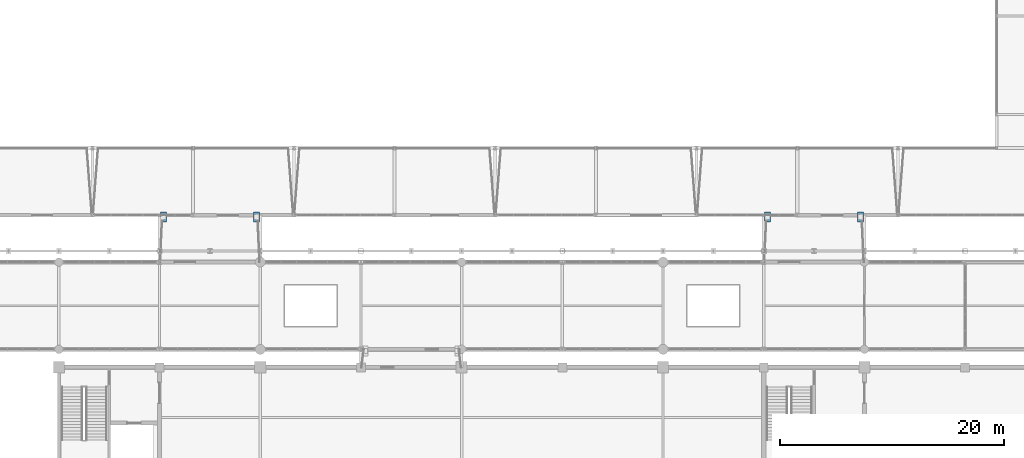
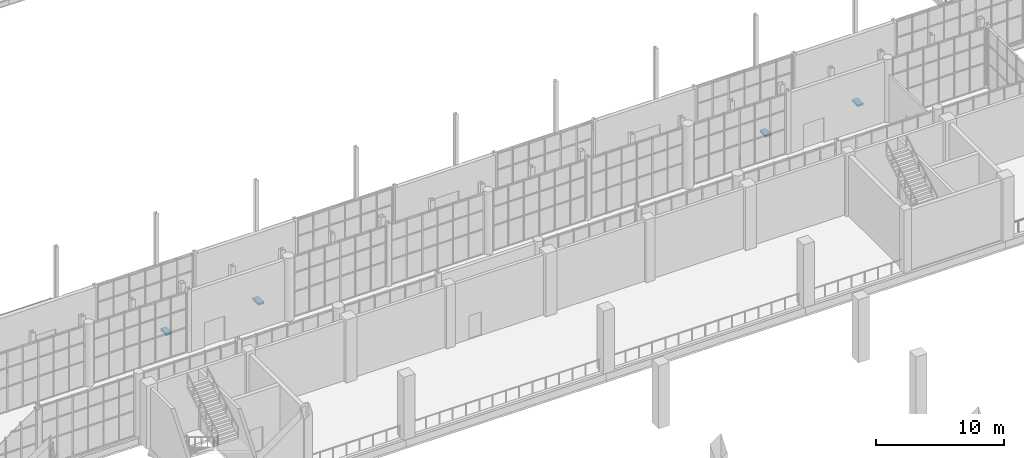
# One storey, part 134 of 159: 4 discrete accessories.
"""IFC4 building model written with IfcOpenShell, lengths in metres."""

import ifcopenshell
import ifcopenshell.guid

model = None  # the IFC model being written
_history = None  # IfcOwnerHistory: only IFC2X3 demands one
_inside = {}  # id of a spatial element -> (the spatial element, [elements in it])
_under = {}  # id of a project, library or spatial element -> (it, [spatial elements below it])
_declared = {}  # id of a project -> (the project, [libraries it declares])
_typed = {}  # id of a type object -> (the type object, [elements of that type])
_made_of = {}  # id of a material, layer set ... -> (it, [elements and type objects made of it])


def new_model(schema):
    """Start an empty IFC model of exactly this schema.

    Asked for "IFC4X3", IfcOpenShell would pick the latest addendum, in which some entities
    have other attributes; the version numbers below select the first issue.
    IFC2X3 requires an IfcOwnerHistory on every rooted entity: one is made here for all.
    """
    global model, _history
    if schema == "IFC4X3":
        model = ifcopenshell.file(schema_version=(4, 3, 0, 0))
    else:
        model = ifcopenshell.file(schema=schema)
    _inside.clear()
    _under.clear()
    _declared.clear()
    _typed.clear()
    _made_of.clear()
    _history = None
    if model.schema == "IFC2X3":
        org = make("IfcOrganization", Name="unknown")
        user = make(
            "IfcPersonAndOrganization",
            ThePerson=make("IfcPerson", FamilyName="unknown"),
            TheOrganization=org,
        )
        app = make(
            "IfcApplication",
            ApplicationDeveloper=org,
            Version="unknown",
            ApplicationFullName="unknown",
            ApplicationIdentifier="unknown",
        )
        _history = make(
            "IfcOwnerHistory",
            OwningUser=user,
            OwningApplication=app,
            ChangeAction="ADDED",
            CreationDate=0,
        )
    return model


def make(cls, **values):
    """One entity of the class cls with the attributes given. An attribute that is None is left unset."""
    return model.create_entity(
        cls, **{name: value for name, value in values.items() if value is not None}
    )


def rooted(cls, **values):
    """An entity with a GlobalId (a new one), such as an element, a storey or a relation."""
    return make(cls, GlobalId=ifcopenshell.guid.new(), OwnerHistory=_history, **values)


def si_unit(unit_type, name, prefix=None):
    """IfcSIUnit, for example si_unit("LENGTHUNIT", "METRE", prefix="MILLI")."""
    return make("IfcSIUnit", UnitType=unit_type, Prefix=prefix, Name=name)


def assignment(units):
    """IfcUnitAssignment: the units of a project."""
    return None if units is None else make("IfcUnitAssignment", Units=units)


def point(xyz):
    """IfcCartesianPoint."""
    return None if xyz is None else make("IfcCartesianPoint", Coordinates=xyz)


def direction(xyz):
    """IfcDirection."""
    return None if xyz is None else make("IfcDirection", DirectionRatios=xyz)


def frame(location, z_axis=None, x_axis=None):
    """IfcAxis2Placement3D, a coordinate frame: its origin and axes. An axis left out is left unset."""
    return make(
        "IfcAxis2Placement3D",
        Location=point(location),
        Axis=direction(z_axis),
        RefDirection=direction(x_axis),
    )


def frame_2d(location, x_axis=None):
    """IfcAxis2Placement2D, a coordinate frame in the plane: its origin and x axis."""
    return make(
        "IfcAxis2Placement2D", Location=point(location), RefDirection=direction(x_axis)
    )


def origin():
    """The frame at (0, 0, 0) with its axes left unset."""
    return frame((0.0, 0.0, 0.0))


def origin_2d():
    """The frame at (0, 0) in the plane with its x axis left unset."""
    return frame_2d((0.0, 0.0))


def place(relative_to, where):
    """IfcLocalPlacement: puts the frame where relative to a parent placement (None: the world)."""
    return make(
        "IfcLocalPlacement", PlacementRelTo=relative_to, RelativePlacement=where
    )


def context(
    kind, dimensions, precision=None, world=None, true_north=None, identifier=None
):
    """IfcGeometricRepresentationContext, for example the 3D "Model" context."""
    return make(
        "IfcGeometricRepresentationContext",
        ContextIdentifier=identifier,
        ContextType=kind,
        CoordinateSpaceDimension=dimensions,
        Precision=precision,
        WorldCoordinateSystem=world,
        TrueNorth=true_north,
    )


def subcontext(parent, identifier, kind, view, scale=None):
    """IfcGeometricRepresentationSubContext, for example "Body" below "Model"."""
    return make(
        "IfcGeometricRepresentationSubContext",
        ContextIdentifier=identifier,
        ContextType=kind,
        ParentContext=parent,
        TargetScale=scale,
        TargetView=view,
    )


def project(units=None, contexts=None):
    """IfcProject with its units and contexts."""
    return rooted(
        "IfcProject",
        Name="project",
        RepresentationContexts=contexts,
        UnitsInContext=assignment(units),
    )


def spatial(cls, under=None, at=None, **own):
    """A site, building, storey or space (cls), placed at a placement, below another one or the project."""
    s = rooted(cls, ObjectPlacement=at, **own)
    if under is not None:
        _under.setdefault(under.id(), (under, []))[1].append(s)
    return s


def profile(cls, at=None, kind="AREA", **sizes):
    """A parametric profile (cls). Its sizes go by their IFC names, for example OverallWidth=200.0."""
    return make(cls, ProfileType=kind, Position=at, **sizes)


def rectangle(**sizes):
    """IfcRectangleProfileDef."""
    return profile("IfcRectangleProfileDef", **sizes)


def extrude(swept, where, along, depth):
    """IfcExtrudedAreaSolid: the profile swept, set in the frame where, extruded along a direction by depth."""
    return make(
        "IfcExtrudedAreaSolid",
        SweptArea=swept,
        Position=where,
        ExtrudedDirection=direction(along),
        Depth=depth,
    )


def shape(context_of_items, identifier, shape_type, items):
    """IfcShapeRepresentation: the items that make up one representation, for example the "Body"."""
    return make(
        "IfcShapeRepresentation",
        ContextOfItems=context_of_items,
        RepresentationIdentifier=identifier,
        RepresentationType=shape_type,
        Items=items,
    )


def material(Name=None, Category=None):
    """IfcMaterial."""
    return make("IfcMaterial", Name=Name, Category=Category)


def made_of(thing, what):
    """Note that an element or type object is made of a material, layer set ...; save() writes the relation."""
    if what is not None:
        _made_of.setdefault(what.id(), (what, []))[1].append(thing)
    return thing


def type_object(cls, material=None, **own):
    """A type object (cls), such as IfcWallType, which elements share."""
    return made_of(rooted(cls, **own), material)


def element(
    cls,
    number,
    at=None,
    inside=None,
    cuts=None,
    type_object=None,
    material=None,
    context=None,
    identifier="Body",
    shape_type=None,
    held_by="IfcProductDefinitionShape",
    body=None,
    shapes=None,
    **own,
):
    """One element of the class cls, such as IfcWall. Its Tag is "e" and its number.

    at: its placement. inside: the storey or other place that contains it. cuts: it is an
    opening in that element (IfcRelVoidsElement). A single representation is given by context,
    identifier, shape_type and body (its items); several are given by shapes. held_by: the class
    of the entity that holds the representations. save() writes the other relations.
    """
    e = rooted(cls, Tag="e%d" % number, ObjectPlacement=at, **own)
    if body is not None:
        shapes = [shape(context, identifier, shape_type, body)]
    if shapes is not None:
        e.Representation = make(held_by, Representations=shapes)
    if inside is not None:
        _inside.setdefault(inside.id(), (inside, []))[1].append(e)
    if cuts is not None:
        rooted(
            "IfcRelVoidsElement", RelatingBuildingElement=cuts, RelatedOpeningElement=e
        )
    if type_object is not None:
        _typed.setdefault(type_object.id(), (type_object, []))[1].append(e)
    return made_of(e, material)


def aggregate(whole, parts):
    """IfcRelAggregates: a whole, such as a stair, and the parts it consists of."""
    return rooted("IfcRelAggregates", RelatingObject=whole, RelatedObjects=parts)


def save(model, path):
    """Write the relations noted so far, then the file.

    IfcRelAggregates (storeys below a building ...), IfcRelContainedInSpatialStructure (elements
    in a storey), IfcRelDefinesByType, IfcRelAssociatesMaterial and IfcRelDeclares: one each for
    every whole, place, type object, material and project.
    """
    for whole, parts in _under.values():
        aggregate(whole, parts)
    for where, things in _inside.values():
        rooted(
            "IfcRelContainedInSpatialStructure",
            RelatedElements=things,
            RelatingStructure=where,
        )
    for kind, things in _typed.values():
        rooted("IfcRelDefinesByType", RelatedObjects=things, RelatingType=kind)
    for what, things in _made_of.values():
        rooted("IfcRelAssociatesMaterial", RelatedObjects=things, RelatingMaterial=what)
    for by, libraries in _declared.values():
        rooted("IfcRelDeclares", RelatingContext=by, RelatedDefinitions=libraries)
    model.write(path)


model = new_model("IFC4")

# Units and contexts
model_context = context("Model", 3, precision=1e-05, world=origin(), true_north=direction((0.0, 1.0)))
body_context = subcontext(model_context, "Body", "Model", "MODEL_VIEW")
ifc_project = project(units=[si_unit("LENGTHUNIT", "METRE"), si_unit("AREAUNIT", "SQUARE_METRE"), si_unit("VOLUMEUNIT", "CUBIC_METRE"), si_unit("PLANEANGLEUNIT", "RADIAN"), si_unit("MASSUNIT", "GRAM", prefix="KILO")], contexts=[model_context])

# Site, building, storey
site_placement = place(None, origin())
site = spatial("IfcSite", under=ifc_project, at=site_placement, CompositionType="ELEMENT")
building_placement = place(site_placement, origin())
building = spatial("IfcBuilding", under=site, at=building_placement, Name="Cazmaro Siding Exhibition Halls", CompositionType="ELEMENT")
storey_placement = place(building_placement, frame((0.0, 0.0, 6.0)))
storey = spatial("IfcBuildingStorey", under=building, at=storey_placement, Name="L01", CompositionType="ELEMENT", Elevation=6.0)

# Discrete accessories
ifc_material = material(Name="Steel ASTM A572 Grade 50", Category="steel")
discrete_accessory_type = type_object("IfcDiscreteAccessoryType", Name="SBK-SEAT-01", PredefinedType="BRACKET", material=ifc_material)
for number, where, z_axis, x_axis, name in (
    (1, (81.35009765625, 67.050048828125, -0.7509765625), (0.0, 0.0, 1.0), (1.0, 0.0, 0.0), "Bridge Sliding Seat Corbel 900mm SB-01 L01"),
    (2, (89.64990234375, 67.050048828125, -0.7509765625), (0.0, 0.0, 1.0), (1.0, 0.0, 0.0), "Bridge Sliding Seat Corbel 900mm SB-01 L01"),
    (3, (135.35009765625, 67.050048828125, -0.7509765625), (0.0, 0.0, 1.0), (1.0, 0.0, 0.0), "Bridge Sliding Seat Corbel 900mm SB-02 L01"),
    (4, (143.64990234375, 67.050048828125, -0.7509765625), (0.0, 0.0, 1.0), (1.0, 0.0, 0.0), "Bridge Sliding Seat Corbel 900mm SB-02 L01"),
):
    element("IfcDiscreteAccessory", number, at=place(storey_placement, frame(where, z_axis=z_axis, x_axis=x_axis)), inside=storey, type_object=discrete_accessory_type, Name=name, PredefinedType="BRACKET", context=body_context, shape_type="SweptSolid", body=[
        extrude(rectangle(XDim=0.52001953125, YDim=0.89990234375, at=origin_2d()), origin(), (0.0, 0.0, 1.0), 0.179931640625),
    ])

save(model, "model.ifc")
